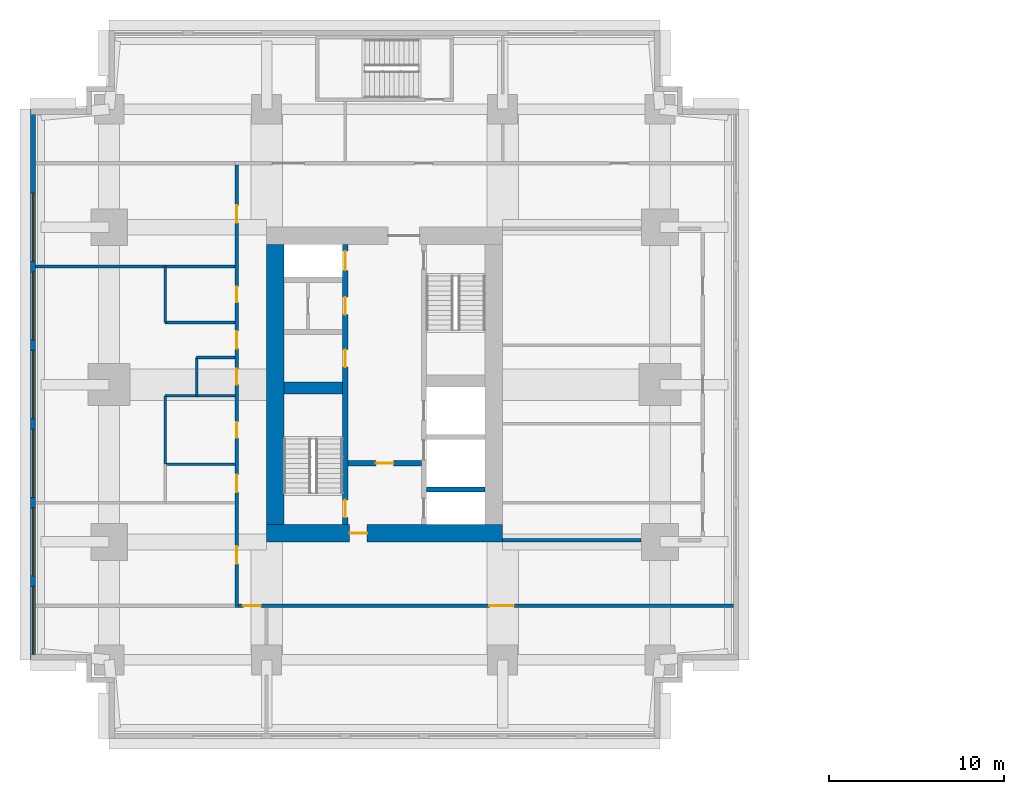
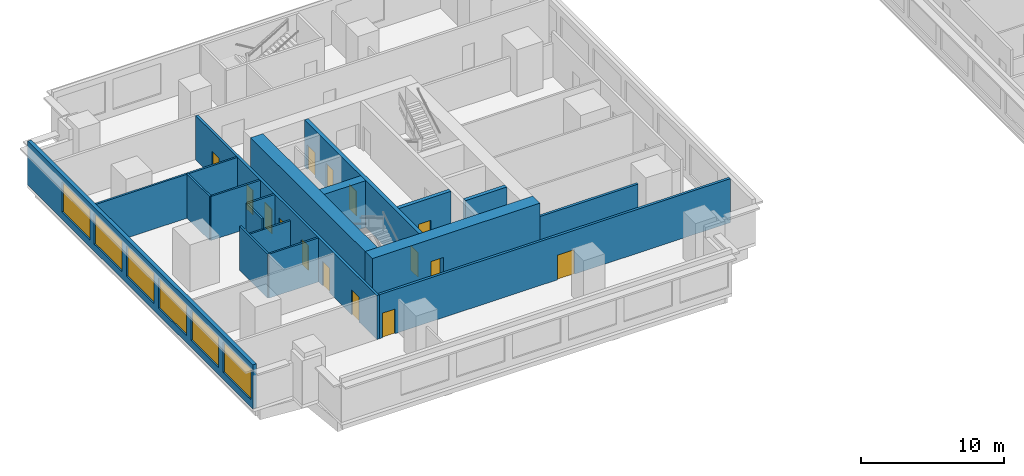
# One storey, part 3 of 10: 18 walls, 15 doors, 6 windows, 21 openings.
"""IFC4 building model written with IfcOpenShell, lengths in metres."""

from ifc_helpers import new_model, si_unit, direction, frame, frame_2d, origin, place, context, subcontext, project, spatial, rectangle, extrude, material, layer, layer_set, type_object, element, fill, save


model = new_model("IFC4")

# Units and contexts
model_context = context("Model", 3, precision=1e-05, world=origin(), true_north=direction((0.0, 1.0)))
body_context = subcontext(model_context, "Body", "Model", "MODEL_VIEW")
ifc_project = project(units=[si_unit("LENGTHUNIT", "METRE"), si_unit("AREAUNIT", "SQUARE_METRE"), si_unit("VOLUMEUNIT", "CUBIC_METRE"), si_unit("PLANEANGLEUNIT", "RADIAN"), si_unit("MASSUNIT", "GRAM", prefix="KILO")], contexts=[model_context])

# Site, building, storey
site_placement = place(None, origin())
site = spatial("IfcSite", under=ifc_project, at=site_placement, CompositionType="ELEMENT")
building_placement = place(site_placement, origin())
building = spatial("IfcBuilding", under=site, at=building_placement, Name="Namib Vertical Campus", CompositionType="ELEMENT")
storey_placement = place(building_placement, frame((0.0, 0.0, 157.0)))
storey = spatial("IfcBuildingStorey", under=building, at=storey_placement, Name="L37", CompositionType="ELEMENT", Elevation=157.0)

# Wall, openings, doors
ifc_material_1 = material(Name="Concrete C60/75", Category="concrete")
ifc_layer_1 = layer(ifc_material_1, 0.300048828125)
ifc_layer_set_1 = layer_set([ifc_layer_1], Name="Concrete C60/75")
wall_type_1 = type_object("IfcWallType", Name="Core inner wall 300", PredefinedType="SHEAR", material=ifc_layer_set_1)
wall_1_placement = place(storey_placement, frame((18.0, 12.25, 0.0), z_axis=(0.0, 0.0, 1.0), x_axis=(0.0, 1.0, 0.0)))
wall_1 = element("IfcWall", 1, at=wall_1_placement, inside=storey, type_object=wall_type_1, Name="Core inner wall A L37 W1", PredefinedType="SHEAR", context=body_context, shape_type="SweptSolid", body=[
    extrude(rectangle(XDim=16.0, YDim=0.300048828125, at=frame_2d((8.0, 0.0))), origin(), (0.0, 0.0, 1.0), 4.0),
])
opening_1_placement = place(wall_1_placement, frame((0.39990234375, 0.0, 0.0)))
opening_1 = element("IfcOpeningElement", 2, at=opening_1_placement, cuts=wall_1, Name="Opening FD1", PredefinedType="OPENING", context=body_context, shape_type="SweptSolid", body=[
    extrude(rectangle(XDim=1.0, YDim=2.10009765625, at=frame_2d((0.5, 1.050048828125))), frame((0.0, 0.159912109375, 0.0), z_axis=(0.0, -1.0, 0.0), x_axis=(1.0, 0.0, 0.0)), (0.0, 0.0, 1.0), 0.320068359375),
])
opening_2_placement = place(wall_1_placement, frame((14.52490234375, 0.0, 0.0)))
opening_2 = element("IfcOpeningElement", 3, at=opening_2_placement, cuts=wall_1, Name="Opening LD1", PredefinedType="OPENING", context=body_context, shape_type="SweptSolid", body=[
    extrude(rectangle(XDim=1.10009765625, YDim=2.10009765625, at=frame_2d((0.550048828125, 1.050048828125))), frame((0.0, 0.159912109375, 0.0), z_axis=(0.0, -1.0, 0.0), x_axis=(1.0, 0.0, 0.0)), (0.0, 0.0, 1.0), 0.320068359375),
])
opening_3_placement = place(wall_1_placement, frame((9.0, 0.0, 0.0)))
opening_3 = element("IfcOpeningElement", 4, at=opening_3_placement, cuts=wall_1, Name="Opening D1", PredefinedType="OPENING", context=body_context, shape_type="SweptSolid", body=[
    extrude(rectangle(XDim=1.0, YDim=2.10009765625, at=frame_2d((0.5, 1.050048828125))), frame((0.0, 0.159912109375, 0.0), z_axis=(0.0, -1.0, 0.0), x_axis=(1.0, 0.0, 0.0)), (0.0, 0.0, 1.0), 0.320068359375),
])
opening_4_placement = place(wall_1_placement, frame((12.0, 0.0, 0.0)))
opening_4 = element("IfcOpeningElement", 5, at=opening_4_placement, cuts=wall_1, Name="Opening D1", PredefinedType="OPENING", context=body_context, shape_type="SweptSolid", body=[
    extrude(rectangle(XDim=1.0, YDim=2.10009765625, at=frame_2d((0.5, 1.050048828125))), frame((0.0, 0.159912109375, 0.0), z_axis=(0.0, -1.0, 0.0), x_axis=(1.0, 0.0, 0.0)), (0.0, 0.0, 1.0), 0.320068359375),
])
ifc_material_2 = material(Name="Timber door leaf", Category="wood")
door_type_1 = type_object("IfcDoorType", Name="Door single 1000x2100", OperationType="SINGLE_SWING_LEFT", PredefinedType="DOOR", material=ifc_material_2)
door_1_placement = place(opening_3_placement, origin())
door_1 = element("IfcDoor", 6, at=door_1_placement, inside=storey, type_object=door_type_1, Name="Door D1 Comms room A L37 P1", OperationType="SINGLE_SWING_LEFT", OverallHeight=2.10009765625, OverallWidth=1.0, PredefinedType="DOOR", context=body_context, shape_type="SweptSolid", body=[
    extrude(rectangle(XDim=1.0, YDim=2.10009765625, at=frame_2d((0.5, 1.050048828125))), frame((0.0, 0.02490234375, 0.0), z_axis=(0.0, -1.0, 0.0), x_axis=(1.0, 0.0, 0.0)), (0.0, 0.0, 1.0), 0.050048828125),
])
fill(opening_3, door_1)
door_2_placement = place(opening_4_placement, origin())
door_2 = element("IfcDoor", 7, at=door_2_placement, inside=storey, type_object=door_type_1, Name="Door D1 Store A L37 P2", OperationType="SINGLE_SWING_LEFT", OverallHeight=2.10009765625, OverallWidth=1.0, PredefinedType="DOOR", context=body_context, shape_type="SweptSolid", body=[
    extrude(rectangle(XDim=1.0, YDim=2.10009765625, at=frame_2d((0.5, 1.050048828125))), frame((0.0, 0.02490234375, 0.0), z_axis=(0.0, -1.0, 0.0), x_axis=(1.0, 0.0, 0.0)), (0.0, 0.0, 1.0), 0.050048828125),
])
fill(opening_4, door_2)
ifc_material_3 = material(Name="Steel fire door", Category="steel")
door_type_2 = type_object("IfcDoorType", Name="Fire door 1000x2100", OperationType="SINGLE_SWING_RIGHT", PredefinedType="DOOR", material=ifc_material_3)
door_3_placement = place(opening_1_placement, origin())
door_3 = element("IfcDoor", 8, at=door_3_placement, inside=storey, type_object=door_type_2, Name="Stair door FD1 A L37 S1", OperationType="SINGLE_SWING_LEFT", OverallHeight=2.10009765625, OverallWidth=1.0, PredefinedType="DOOR", context=body_context, shape_type="SweptSolid", body=[
    extrude(rectangle(XDim=1.0, YDim=2.10009765625, at=frame_2d((0.5, 1.050048828125))), frame((0.0, 0.02490234375, 0.0), z_axis=(0.0, -1.0, 0.0), x_axis=(1.0, 0.0, 0.0)), (0.0, 0.0, 1.0), 0.050048828125),
])
fill(opening_1, door_3)
ifc_material_4 = material(Name="Stainless steel lift door", Category="steel")
door_type_3 = type_object("IfcDoorType", Name="Lift landing door 1100x2100", OperationType="DOUBLE_DOOR_SLIDING", PredefinedType="DOOR", material=ifc_material_4)
door_4_placement = place(opening_2_placement, origin())
door_4 = element("IfcDoor", 9, at=door_4_placement, inside=storey, type_object=door_type_3, Name="Lift landing door LD1 A-P3 L37", OperationType="DOUBLE_DOOR_SLIDING", OverallHeight=2.10009765625, OverallWidth=1.10009765625, PredefinedType="DOOR", context=body_context, shape_type="SweptSolid", body=[
    extrude(rectangle(XDim=1.10009765625, YDim=2.10009765625, at=frame_2d((0.550048828125, 1.050048828125))), frame((0.0, 0.02490234375, 0.0), z_axis=(0.0, -1.0, 0.0), x_axis=(1.0, 0.0, 0.0)), (0.0, 0.0, 1.0), 0.050048828125),
])
fill(opening_2, door_4)

# Wall, opening, door
wall_2_placement = place(storey_placement, frame((18.14990234375, 15.75, 0.0), z_axis=(0.0, 0.0, 1.0), x_axis=(1.0, 0.0, 0.0)))
wall_2 = element("IfcWall", 10, at=wall_2_placement, inside=storey, type_object=wall_type_1, Name="Core inner wall A L37 W4", PredefinedType="SHEAR", context=body_context, shape_type="SweptSolid", body=[
    extrude(rectangle(XDim=4.2001953125, YDim=0.300048828125, at=frame_2d((2.10009765625, 0.0))), origin(), (0.0, 0.0, 1.0), 4.0),
])
opening_5_placement = place(wall_2_placement, frame((1.60009765625, 0.0, 0.0)))
opening_5 = element("IfcOpeningElement", 11, at=opening_5_placement, cuts=wall_2, Name="Opening FD5", PredefinedType="OPENING", context=body_context, shape_type="SweptSolid", body=[
    extrude(rectangle(XDim=1.0, YDim=2.10009765625, at=frame_2d((0.5, 1.050048828125))), frame((0.0, 0.159912109375, 0.0), z_axis=(0.0, -1.0, 0.0), x_axis=(1.0, 0.0, 0.0)), (0.0, 0.0, 1.0), 0.320068359375),
])
ifc_material_5 = material(Name="Steel fire door", Category="steel")
door_type_4 = type_object("IfcDoorType", Name="Fire door 1000x2100 120 min", OperationType="SINGLE_SWING_RIGHT", PredefinedType="DOOR", material=ifc_material_5)
door_5_placement = place(opening_5_placement, frame((1.0, 0.0, 0.0), z_axis=(0.0, 0.0, 1.0), x_axis=(-1.0, 0.0, 0.0)))
door_5 = element("IfcDoor", 12, at=door_5_placement, inside=storey, type_object=door_type_4, Name="Lobby door FD5 A L37", OperationType="SINGLE_SWING_RIGHT", OverallHeight=2.10009765625, OverallWidth=1.0, PredefinedType="DOOR", context=body_context, shape_type="SweptSolid", body=[
    extrude(rectangle(XDim=1.0, YDim=2.10009765625, at=frame_2d((0.5, 1.050048828125))), frame((0.0, 0.02490234375, 0.0), z_axis=(0.0, -1.0, 0.0), x_axis=(1.0, 0.0, 0.0)), (0.0, 0.0, 1.0), 0.050048828125),
])
fill(opening_5, door_5)

# Walls
wall_3_placement = place(storey_placement, frame((22.64990234375, 14.25, 0.0), z_axis=(0.0, 0.0, 1.0), x_axis=(1.0, 0.0, 0.0)))
element("IfcWall", 13, at=wall_3_placement, inside=storey, type_object=wall_type_1, Name="Core inner wall A L37 W5", PredefinedType="SHEAR", context=body_context, shape_type="SweptSolid", body=[
    extrude(rectangle(XDim=3.35009765625, YDim=0.300048828125, at=frame_2d((1.675048828125, 0.0))), origin(), (0.0, 0.0, 1.0), 4.0),
])
ifc_material_6 = material(Name="Concrete C60/75", Category="concrete")
ifc_layer_2 = layer(ifc_material_6, 0.699951171875)
ifc_layer_set_2 = layer_set([ifc_layer_2], Name="Concrete C60/75")
wall_type_2 = type_object("IfcWallType", Name="Core shear wall 700", PredefinedType="SHEAR", material=ifc_layer_set_2)
wall_4_placement = place(storey_placement, frame((14.5, 20.050048828125, 0.0), z_axis=(0.0, 0.0, 1.0), x_axis=(1.0, 0.0, 0.0)))
element("IfcWall", 14, at=wall_4_placement, inside=storey, type_object=wall_type_2, Name="Core shear wall A L37 W3", PredefinedType="SHEAR", context=body_context, shape_type="SweptSolid", body=[
    extrude(rectangle(XDim=3.35009765625, YDim=0.699951171875, at=frame_2d((1.675048828125, 0.0))), origin(), (0.0, 0.0, 1.0), 4.0),
])

# Wall, opening, door
ifc_material_7 = material(Name="Concrete C60/75", Category="concrete")
ifc_layer_3 = layer(ifc_material_7, 1.0)
ifc_layer_set_3 = layer_set([ifc_layer_3], Name="Concrete C60/75")
wall_type_3 = type_object("IfcWallType", Name="Core wall 1000", PredefinedType="SHEAR", material=ifc_layer_set_3)
wall_5_placement = place(storey_placement, frame((13.5, 11.75, 0.0), z_axis=(0.0, 0.0, 1.0), x_axis=(1.0, 0.0, 0.0)))
wall_5 = element("IfcWall", 15, at=wall_5_placement, inside=storey, type_object=wall_type_3, Name="Core wall A L37 1", PredefinedType="SHEAR", context=body_context, shape_type="SweptSolid", body=[
    extrude(rectangle(XDim=13.5, YDim=1.0, at=frame_2d((6.75, 0.0))), origin(), (0.0, 0.0, 1.0), 4.0),
])
opening_6_placement = place(wall_5_placement, frame((4.75, 0.0, 0.0)))
opening_6 = element("IfcOpeningElement", 16, at=opening_6_placement, cuts=wall_5, Name="Opening FD5", PredefinedType="OPENING", context=body_context, shape_type="SweptSolid", body=[
    extrude(rectangle(XDim=1.0, YDim=2.10009765625, at=frame_2d((0.5, 1.050048828125))), frame((0.0, 0.510009765625, 0.0), z_axis=(0.0, -1.0, 0.0), x_axis=(1.0, 0.0, 0.0)), (0.0, 0.0, 1.0), 1.02001953125),
])
door_6_placement = place(opening_6_placement, origin())
door_6 = element("IfcDoor", 17, at=door_6_placement, inside=storey, type_object=door_type_4, Name="Firefighting lobby door FD5 A L37", OperationType="SINGLE_SWING_LEFT", OverallHeight=2.10009765625, OverallWidth=1.0, PredefinedType="DOOR", context=body_context, shape_type="SweptSolid", body=[
    extrude(rectangle(XDim=1.0, YDim=2.10009765625, at=frame_2d((0.5, 1.050048828125))), frame((0.0, 0.02490234375, 0.0), z_axis=(0.0, -1.0, 0.0), x_axis=(1.0, 0.0, 0.0)), (0.0, 0.0, 1.0), 0.050048828125),
])
fill(opening_6, door_6)

# Wall
wall_6_placement = place(storey_placement, frame((14.0, 28.25, 0.0), z_axis=(0.0, 0.0, 1.0), x_axis=(0.0, -1.0, 0.0)))
element("IfcWall", 18, at=wall_6_placement, inside=storey, type_object=wall_type_3, Name="Core wall A L37 4", PredefinedType="SHEAR", context=body_context, shape_type="SweptSolid", body=[
    extrude(rectangle(XDim=16.0, YDim=1.0, at=frame_2d((8.0, 0.0))), origin(), (0.0, 0.0, 1.0), 4.0),
])

# Wall, openings, doors
ifc_material_8 = material(Name="Concrete masonry", Category="masonry")
ifc_layer_4 = layer(ifc_material_8, 0.199951171875)
ifc_layer_set_4 = layer_set([ifc_layer_4], Name="Corridor wall 200")
wall_type_4 = type_object("IfcWallType", Name="Corridor wall 200", PredefinedType="SOLIDWALL", material=ifc_layer_set_4)
wall_7_placement = place(storey_placement, frame((11.89990234375, 7.60009765625, 0.0), z_axis=(0.0, 0.0, 1.0), x_axis=(1.0, 0.0, 0.0)))
wall_7 = element("IfcWall", 19, at=wall_7_placement, inside=storey, type_object=wall_type_4, Name="Corridor wall A L37 CS", PredefinedType="SOLIDWALL", context=body_context, shape_type="SweptSolid", body=[
    extrude(rectangle(XDim=28.300048828125, YDim=0.199951171875, at=frame_2d((14.14990234375, 0.0))), origin(), (0.0, 0.0, 1.0), 3.75),
])
opening_7_placement = place(wall_7_placement, frame((0.27490234375, 0.0, 0.0)))
opening_7 = element("IfcOpeningElement", 20, at=opening_7_placement, cuts=wall_7, Name="Opening CD1", PredefinedType="OPENING", context=body_context, shape_type="SweptSolid", body=[
    extrude(rectangle(XDim=1.0, YDim=2.10009765625, at=frame_2d((0.5, 1.050048828125))), frame((0.0, 0.10986328125, 0.0), z_axis=(0.0, -1.0, 0.0), x_axis=(1.0, 0.0, 0.0)), (0.0, 0.0, 1.0), 0.219970703125),
])
opening_8_placement = place(wall_7_placement, frame((14.35009765625, 0.0, 0.0)))
opening_8 = element("IfcOpeningElement", 21, at=opening_8_placement, cuts=wall_7, Name="Opening LB1", PredefinedType="OPENING", context=body_context, shape_type="SweptSolid", body=[
    extrude(rectangle(XDim=1.39990234375, YDim=2.10009765625, at=frame_2d((0.699951171875, 1.050048828125))), frame((0.0, 0.10986328125, 0.0), z_axis=(0.0, -1.0, 0.0), x_axis=(1.0, 0.0, 0.0)), (0.0, 0.0, 1.0), 0.219970703125),
])
ifc_material_9 = material(Name="Timber fire door leaf", Category="wood")
door_type_5 = type_object("IfcDoorType", Name="Corridor door 1000x2100 20 min", OperationType="SINGLE_SWING_LEFT", PredefinedType="DOOR", material=ifc_material_9)
door_7_placement = place(opening_7_placement, frame((1.0, 0.0, 0.0), z_axis=(0.0, 0.0, 1.0), x_axis=(-1.0, 0.0, 0.0)))
door_7 = element("IfcDoor", 22, at=door_7_placement, inside=storey, type_object=door_type_5, Name="Door CD1 A37-01", OperationType="SINGLE_SWING_LEFT", OverallHeight=2.10009765625, OverallWidth=1.0, PredefinedType="DOOR", context=body_context, shape_type="SweptSolid", body=[
    extrude(rectangle(XDim=1.0, YDim=2.10009765625, at=frame_2d((0.5, 1.050048828125))), frame((0.0, 0.02490234375, 0.0), z_axis=(0.0, -1.0, 0.0), x_axis=(1.0, 0.0, 0.0)), (0.0, 0.0, 1.0), 0.050048828125),
])
fill(opening_7, door_7)
ifc_material_10 = material(Name="Timber fire door leaf", Category="wood")
door_type_6 = type_object("IfcDoorType", Name="Laboratory door 1400x2100 leaf and a half", OperationType="DOUBLE_DOOR_SINGLE_SWING", PredefinedType="DOOR", material=ifc_material_10)
door_8_placement = place(opening_8_placement, frame((1.39990234375, 0.0, 0.0), z_axis=(0.0, 0.0, 1.0), x_axis=(-1.0, 0.0, 0.0)))
door_8 = element("IfcDoor", 23, at=door_8_placement, inside=storey, type_object=door_type_6, Name="Door LB1 A37-02", OperationType="DOUBLE_DOOR_SINGLE_SWING", OverallHeight=2.10009765625, OverallWidth=1.39990234375, PredefinedType="DOOR", context=body_context, shape_type="SweptSolid", body=[
    extrude(rectangle(XDim=1.39990234375, YDim=2.10009765625, at=frame_2d((0.699951171875, 1.050048828125))), frame((0.0, 0.02490234375, 0.0), z_axis=(0.0, -1.0, 0.0), x_axis=(1.0, 0.0, 0.0)), (0.0, 0.0, 1.0), 0.050048828125),
])
fill(opening_8, door_8)

wall_8_placement = place(storey_placement, frame((11.800048828125, 32.800048828125, 0.0), z_axis=(0.0, 0.0, 1.0), x_axis=(0.0, -1.0, 0.0)))
wall_8 = element("IfcWall", 24, at=wall_8_placement, inside=storey, type_object=wall_type_4, Name="Corridor wall A L37 CW", PredefinedType="SOLIDWALL", context=body_context, shape_type="SweptSolid", body=[
    extrude(rectangle(XDim=25.300048828125, YDim=0.199951171875, at=frame_2d((12.64990234375, 0.0))), origin(), (0.0, 0.0, 1.0), 3.75),
])
opening_9_placement = place(wall_8_placement, frame((21.800048828125, 0.0, 0.0)))
opening_9 = element("IfcOpeningElement", 25, at=opening_9_placement, cuts=wall_8, Name="Opening CD1", PredefinedType="OPENING", context=body_context, shape_type="SweptSolid", body=[
    extrude(rectangle(XDim=1.0, YDim=2.10009765625, at=frame_2d((0.5, 1.050048828125))), frame((0.0, 0.10986328125, 0.0), z_axis=(0.0, -1.0, 0.0), x_axis=(1.0, 0.0, 0.0)), (0.0, 0.0, 1.0), 0.219970703125),
])
opening_10_placement = place(wall_8_placement, frame((17.699951171875, 0.0, 0.0)))
opening_10 = element("IfcOpeningElement", 26, at=opening_10_placement, cuts=wall_8, Name="Opening CD1", PredefinedType="OPENING", context=body_context, shape_type="SweptSolid", body=[
    extrude(rectangle(XDim=1.0, YDim=2.10009765625, at=frame_2d((0.5, 1.050048828125))), frame((0.0, 0.10986328125, 0.0), z_axis=(0.0, -1.0, 0.0), x_axis=(1.0, 0.0, 0.0)), (0.0, 0.0, 1.0), 0.219970703125),
])
opening_11_placement = place(wall_8_placement, frame((14.699951171875, 0.0, 0.0)))
opening_11 = element("IfcOpeningElement", 27, at=opening_11_placement, cuts=wall_8, Name="Opening CD3", PredefinedType="OPENING", context=body_context, shape_type="SweptSolid", body=[
    extrude(rectangle(XDim=0.89990234375, YDim=2.10009765625, at=frame_2d((0.449951171875, 1.050048828125))), frame((0.0, 0.10986328125, 0.0), z_axis=(0.0, -1.0, 0.0), x_axis=(1.0, 0.0, 0.0)), (0.0, 0.0, 1.0), 0.219970703125),
])
opening_12_placement = place(wall_8_placement, frame((11.64990234375, 0.0, 0.0)))
opening_12 = element("IfcOpeningElement", 28, at=opening_12_placement, cuts=wall_8, Name="Opening CD3", PredefinedType="OPENING", context=body_context, shape_type="SweptSolid", body=[
    extrude(rectangle(XDim=0.89990234375, YDim=2.10009765625, at=frame_2d((0.449951171875, 1.050048828125))), frame((0.0, 0.10986328125, 0.0), z_axis=(0.0, -1.0, 0.0), x_axis=(1.0, 0.0, 0.0)), (0.0, 0.0, 1.0), 0.219970703125),
])
opening_13_placement = place(wall_8_placement, frame((6.949951171875, 0.0, 0.0)))
opening_13 = element("IfcOpeningElement", 29, at=opening_13_placement, cuts=wall_8, Name="Opening CD3", PredefinedType="OPENING", context=body_context, shape_type="SweptSolid", body=[
    extrude(rectangle(XDim=0.89990234375, YDim=2.10009765625, at=frame_2d((0.449951171875, 1.050048828125))), frame((0.0, 0.10986328125, 0.0), z_axis=(0.0, -1.0, 0.0), x_axis=(1.0, 0.0, 0.0)), (0.0, 0.0, 1.0), 0.219970703125),
])
opening_14_placement = place(wall_8_placement, frame((9.5, 0.0, 0.0)))
opening_14 = element("IfcOpeningElement", 30, at=opening_14_placement, cuts=wall_8, Name="Opening CD1", PredefinedType="OPENING", context=body_context, shape_type="SweptSolid", body=[
    extrude(rectangle(XDim=1.0, YDim=2.10009765625, at=frame_2d((0.5, 1.050048828125))), frame((0.0, 0.10986328125, 0.0), z_axis=(0.0, -1.0, 0.0), x_axis=(1.0, 0.0, 0.0)), (0.0, 0.0, 1.0), 0.219970703125),
])
opening_15_placement = place(wall_8_placement, frame((2.300048828125, 0.0, 0.0)))
opening_15 = element("IfcOpeningElement", 31, at=opening_15_placement, cuts=wall_8, Name="Opening CD1", PredefinedType="OPENING", context=body_context, shape_type="SweptSolid", body=[
    extrude(rectangle(XDim=1.0, YDim=2.10009765625, at=frame_2d((0.5, 1.050048828125))), frame((0.0, 0.10986328125, 0.0), z_axis=(0.0, -1.0, 0.0), x_axis=(1.0, 0.0, 0.0)), (0.0, 0.0, 1.0), 0.219970703125),
])
door_9_placement = place(opening_9_placement, frame((1.0, 0.0, 0.0), z_axis=(0.0, 0.0, 1.0), x_axis=(-1.0, 0.0, 0.0)))
door_9 = element("IfcDoor", 32, at=door_9_placement, inside=storey, type_object=door_type_5, Name="Door CD1 A37-10", OperationType="SINGLE_SWING_RIGHT", OverallHeight=2.10009765625, OverallWidth=1.0, PredefinedType="DOOR", context=body_context, shape_type="SweptSolid", body=[
    extrude(rectangle(XDim=1.0, YDim=2.10009765625, at=frame_2d((0.5, 1.050048828125))), frame((0.0, 0.02490234375, 0.0), z_axis=(0.0, -1.0, 0.0), x_axis=(1.0, 0.0, 0.0)), (0.0, 0.0, 1.0), 0.050048828125),
])
fill(opening_9, door_9)
door_10_placement = place(opening_10_placement, frame((1.0, 0.0, 0.0), z_axis=(0.0, 0.0, 1.0), x_axis=(-1.0, 0.0, 0.0)))
door_10 = element("IfcDoor", 33, at=door_10_placement, inside=storey, type_object=door_type_5, Name="Door CD1 A37-11", OperationType="SINGLE_SWING_RIGHT", OverallHeight=2.10009765625, OverallWidth=1.0, PredefinedType="DOOR", context=body_context, shape_type="SweptSolid", body=[
    extrude(rectangle(XDim=1.0, YDim=2.10009765625, at=frame_2d((0.5, 1.050048828125))), frame((0.0, 0.02490234375, 0.0), z_axis=(0.0, -1.0, 0.0), x_axis=(1.0, 0.0, 0.0)), (0.0, 0.0, 1.0), 0.050048828125),
])
fill(opening_10, door_10)
door_11_placement = place(opening_14_placement, frame((1.0, 0.0, 0.0), z_axis=(0.0, 0.0, 1.0), x_axis=(-1.0, 0.0, 0.0)))
door_11 = element("IfcDoor", 34, at=door_11_placement, inside=storey, type_object=door_type_5, Name="Door CD1 A37-15", OperationType="SINGLE_SWING_RIGHT", OverallHeight=2.10009765625, OverallWidth=1.0, PredefinedType="DOOR", context=body_context, shape_type="SweptSolid", body=[
    extrude(rectangle(XDim=1.0, YDim=2.10009765625, at=frame_2d((0.5, 1.050048828125))), frame((0.0, 0.02490234375, 0.0), z_axis=(0.0, -1.0, 0.0), x_axis=(1.0, 0.0, 0.0)), (0.0, 0.0, 1.0), 0.050048828125),
])
fill(opening_14, door_11)
door_12_placement = place(opening_15_placement, frame((1.0, 0.0, 0.0), z_axis=(0.0, 0.0, 1.0), x_axis=(-1.0, 0.0, 0.0)))
door_12 = element("IfcDoor", 35, at=door_12_placement, inside=storey, type_object=door_type_5, Name="Door CD1 A37-16", OperationType="SINGLE_SWING_RIGHT", OverallHeight=2.10009765625, OverallWidth=1.0, PredefinedType="DOOR", context=body_context, shape_type="SweptSolid", body=[
    extrude(rectangle(XDim=1.0, YDim=2.10009765625, at=frame_2d((0.5, 1.050048828125))), frame((0.0, 0.02490234375, 0.0), z_axis=(0.0, -1.0, 0.0), x_axis=(1.0, 0.0, 0.0)), (0.0, 0.0, 1.0), 0.050048828125),
])
fill(opening_15, door_12)
ifc_material_11 = material(Name="Timber fire door leaf", Category="wood")
door_type_7 = type_object("IfcDoorType", Name="Corridor toilet door 900x2100 20 min", OperationType="SINGLE_SWING_LEFT", PredefinedType="DOOR", material=ifc_material_11)
door_13_placement = place(opening_11_placement, frame((0.89990234375, 0.0, 0.0), z_axis=(0.0, 0.0, 1.0), x_axis=(-1.0, 0.0, 0.0)))
door_13 = element("IfcDoor", 36, at=door_13_placement, inside=storey, type_object=door_type_7, Name="Door CD3 A37-12", OperationType="SINGLE_SWING_RIGHT", OverallHeight=2.10009765625, OverallWidth=0.89990234375, PredefinedType="DOOR", context=body_context, shape_type="SweptSolid", body=[
    extrude(rectangle(XDim=0.89990234375, YDim=2.10009765625, at=frame_2d((0.449951171875, 1.050048828125))), frame((0.0, 0.02490234375, 0.0), z_axis=(0.0, -1.0, 0.0), x_axis=(1.0, 0.0, 0.0)), (0.0, 0.0, 1.0), 0.050048828125),
])
fill(opening_11, door_13)
door_14_placement = place(opening_12_placement, frame((0.89990234375, 0.0, 0.0), z_axis=(0.0, 0.0, 1.0), x_axis=(-1.0, 0.0, 0.0)))
door_14 = element("IfcDoor", 37, at=door_14_placement, inside=storey, type_object=door_type_7, Name="Door CD3 A37-13", OperationType="SINGLE_SWING_RIGHT", OverallHeight=2.10009765625, OverallWidth=0.89990234375, PredefinedType="DOOR", context=body_context, shape_type="SweptSolid", body=[
    extrude(rectangle(XDim=0.89990234375, YDim=2.10009765625, at=frame_2d((0.449951171875, 1.050048828125))), frame((0.0, 0.02490234375, 0.0), z_axis=(0.0, -1.0, 0.0), x_axis=(1.0, 0.0, 0.0)), (0.0, 0.0, 1.0), 0.050048828125),
])
fill(opening_12, door_14)
door_15_placement = place(opening_13_placement, frame((0.89990234375, 0.0, 0.0), z_axis=(0.0, 0.0, 1.0), x_axis=(-1.0, 0.0, 0.0)))
door_15 = element("IfcDoor", 38, at=door_15_placement, inside=storey, type_object=door_type_7, Name="Door CD3 A37-14", OperationType="SINGLE_SWING_RIGHT", OverallHeight=2.10009765625, OverallWidth=0.89990234375, PredefinedType="DOOR", context=body_context, shape_type="SweptSolid", body=[
    extrude(rectangle(XDim=0.89990234375, YDim=2.10009765625, at=frame_2d((0.449951171875, 1.050048828125))), frame((0.0, 0.02490234375, 0.0), z_axis=(0.0, -1.0, 0.0), x_axis=(1.0, 0.0, 0.0)), (0.0, 0.0, 1.0), 0.050048828125),
])
fill(opening_13, door_15)

# Wall
wall_9_placement = place(storey_placement, frame((27.0, 11.35009765625, 0.0), z_axis=(0.0, 0.0, 1.0), x_axis=(1.0, 0.0, 0.0)))
element("IfcWall", 39, at=wall_9_placement, inside=storey, type_object=wall_type_4, Name="Corridor wall A L37 GS", PredefinedType="SOLIDWALL", context=body_context, shape_type="SweptSolid", body=[
    extrude(rectangle(XDim=7.929931640625, YDim=0.199951171875, at=frame_2d((3.96484375, 0.0))), origin(), (0.0, 0.0, 1.0), 2.85009765625),
])

# Wall, openings, windows
ifc_material_12 = material(Name="Concrete C40/50", Category="concrete")
ifc_layer_5 = layer(ifc_material_12, 0.300048828125)
ifc_layer_set_5 = layer_set([ifc_layer_5], Name="Concrete C40/50")
wall_type_5 = type_object("IfcWallType", Name="External wall 300 board-marked concrete", PredefinedType="STANDARD", material=ifc_layer_set_5)
wall_10_placement = place(storey_placement, frame((0.14990234375, 35.97998046875, 0.0), z_axis=(0.0, 0.0, 1.0), x_axis=(0.0, -1.0, 0.0)))
wall_10 = element("IfcWall", 40, at=wall_10_placement, inside=storey, type_object=wall_type_5, Name="External wall L37 F16", PredefinedType="STANDARD", context=body_context, shape_type="SweptSolid", body=[
    extrude(rectangle(XDim=31.4599609375, YDim=0.300048828125, at=frame_2d((15.72998046875, 0.0))), origin(), (0.0, 0.0, 1.0), 3.75),
])
opening_16_placement = place(wall_10_placement, frame((27.280029296875, 0.0, 0.60009765625)))
opening_16 = element("IfcOpeningElement", 41, at=opening_16_placement, cuts=wall_10, Name="Opening W2", PredefinedType="OPENING", context=body_context, shape_type="SweptSolid", body=[
    extrude(rectangle(XDim=3.89990234375, YDim=2.60009765625, at=frame_2d((1.949951171875, 1.300048828125))), frame((0.0, 0.159912109375, 0.0), z_axis=(0.0, -1.0, 0.0), x_axis=(1.0, 0.0, 0.0)), (0.0, 0.0, 1.0), 0.320068359375),
])
opening_17_placement = place(wall_10_placement, frame((22.780029296875, 0.0, 0.60009765625)))
opening_17 = element("IfcOpeningElement", 42, at=opening_17_placement, cuts=wall_10, Name="Opening W2", PredefinedType="OPENING", context=body_context, shape_type="SweptSolid", body=[
    extrude(rectangle(XDim=3.89990234375, YDim=2.60009765625, at=frame_2d((1.949951171875, 1.300048828125))), frame((0.0, 0.159912109375, 0.0), z_axis=(0.0, -1.0, 0.0), x_axis=(1.0, 0.0, 0.0)), (0.0, 0.0, 1.0), 0.320068359375),
])
opening_18_placement = place(wall_10_placement, frame((18.280029296875, 0.0, 0.60009765625)))
opening_18 = element("IfcOpeningElement", 43, at=opening_18_placement, cuts=wall_10, Name="Opening W2", PredefinedType="OPENING", context=body_context, shape_type="SweptSolid", body=[
    extrude(rectangle(XDim=3.89990234375, YDim=2.60009765625, at=frame_2d((1.949951171875, 1.300048828125))), frame((0.0, 0.159912109375, 0.0), z_axis=(0.0, -1.0, 0.0), x_axis=(1.0, 0.0, 0.0)), (0.0, 0.0, 1.0), 0.320068359375),
])
opening_19_placement = place(wall_10_placement, frame((13.780029296875, 0.0, 0.60009765625)))
opening_19 = element("IfcOpeningElement", 44, at=opening_19_placement, cuts=wall_10, Name="Opening W2", PredefinedType="OPENING", context=body_context, shape_type="SweptSolid", body=[
    extrude(rectangle(XDim=3.89990234375, YDim=2.60009765625, at=frame_2d((1.949951171875, 1.300048828125))), frame((0.0, 0.159912109375, 0.0), z_axis=(0.0, -1.0, 0.0), x_axis=(1.0, 0.0, 0.0)), (0.0, 0.0, 1.0), 0.320068359375),
])
opening_20_placement = place(wall_10_placement, frame((9.280029296875, 0.0, 0.60009765625)))
opening_20 = element("IfcOpeningElement", 45, at=opening_20_placement, cuts=wall_10, Name="Opening W2", PredefinedType="OPENING", context=body_context, shape_type="SweptSolid", body=[
    extrude(rectangle(XDim=3.89990234375, YDim=2.60009765625, at=frame_2d((1.949951171875, 1.300048828125))), frame((0.0, 0.159912109375, 0.0), z_axis=(0.0, -1.0, 0.0), x_axis=(1.0, 0.0, 0.0)), (0.0, 0.0, 1.0), 0.320068359375),
])
opening_21_placement = place(wall_10_placement, frame((4.780029296875, 0.0, 0.60009765625)))
opening_21 = element("IfcOpeningElement", 46, at=opening_21_placement, cuts=wall_10, Name="Opening W2", PredefinedType="OPENING", context=body_context, shape_type="SweptSolid", body=[
    extrude(rectangle(XDim=3.89990234375, YDim=2.60009765625, at=frame_2d((1.949951171875, 1.300048828125))), frame((0.0, 0.159912109375, 0.0), z_axis=(0.0, -1.0, 0.0), x_axis=(1.0, 0.0, 0.0)), (0.0, 0.0, 1.0), 0.320068359375),
])
ifc_material_13 = material(Name="Dark tinted glass in black aluminium frame", Category="aluminium")
window_type = type_object("IfcWindowType", Name="Ribbon window 3900x2600", PartitioningType="SINGLE_PANEL", PredefinedType="WINDOW", material=ifc_material_13)
window_1_placement = place(opening_16_placement, origin())
window_1 = element("IfcWindow", 47, at=window_1_placement, inside=storey, type_object=window_type, Name="Window W2 L37 F16-1", OverallHeight=2.60009765625, OverallWidth=3.89990234375, PartitioningType="SINGLE_PANEL", PredefinedType="WINDOW", context=body_context, shape_type="SweptSolid", body=[
    extrude(rectangle(XDim=3.89990234375, YDim=2.60009765625, at=frame_2d((1.949951171875, 1.300048828125))), frame((0.0, 0.030029296875, 0.0), z_axis=(0.0, -1.0, 0.0), x_axis=(1.0, 0.0, 0.0)), (0.0, 0.0, 1.0), 0.06005859375),
])
fill(opening_16, window_1)
window_2_placement = place(opening_17_placement, origin())
window_2 = element("IfcWindow", 48, at=window_2_placement, inside=storey, type_object=window_type, Name="Window W2 L37 F16-2", OverallHeight=2.60009765625, OverallWidth=3.89990234375, PartitioningType="SINGLE_PANEL", PredefinedType="WINDOW", context=body_context, shape_type="SweptSolid", body=[
    extrude(rectangle(XDim=3.89990234375, YDim=2.60009765625, at=frame_2d((1.949951171875, 1.300048828125))), frame((0.0, 0.030029296875, 0.0), z_axis=(0.0, -1.0, 0.0), x_axis=(1.0, 0.0, 0.0)), (0.0, 0.0, 1.0), 0.06005859375),
])
fill(opening_17, window_2)
window_3_placement = place(opening_18_placement, origin())
window_3 = element("IfcWindow", 49, at=window_3_placement, inside=storey, type_object=window_type, Name="Window W2 L37 F16-3", OverallHeight=2.60009765625, OverallWidth=3.89990234375, PartitioningType="SINGLE_PANEL", PredefinedType="WINDOW", context=body_context, shape_type="SweptSolid", body=[
    extrude(rectangle(XDim=3.89990234375, YDim=2.60009765625, at=frame_2d((1.949951171875, 1.300048828125))), frame((0.0, 0.030029296875, 0.0), z_axis=(0.0, -1.0, 0.0), x_axis=(1.0, 0.0, 0.0)), (0.0, 0.0, 1.0), 0.06005859375),
])
fill(opening_18, window_3)
window_4_placement = place(opening_19_placement, origin())
window_4 = element("IfcWindow", 50, at=window_4_placement, inside=storey, type_object=window_type, Name="Window W2 L37 F16-4", OverallHeight=2.60009765625, OverallWidth=3.89990234375, PartitioningType="SINGLE_PANEL", PredefinedType="WINDOW", context=body_context, shape_type="SweptSolid", body=[
    extrude(rectangle(XDim=3.89990234375, YDim=2.60009765625, at=frame_2d((1.949951171875, 1.300048828125))), frame((0.0, 0.030029296875, 0.0), z_axis=(0.0, -1.0, 0.0), x_axis=(1.0, 0.0, 0.0)), (0.0, 0.0, 1.0), 0.06005859375),
])
fill(opening_19, window_4)
window_5_placement = place(opening_20_placement, origin())
window_5 = element("IfcWindow", 51, at=window_5_placement, inside=storey, type_object=window_type, Name="Window W2 L37 F16-5", OverallHeight=2.60009765625, OverallWidth=3.89990234375, PartitioningType="SINGLE_PANEL", PredefinedType="WINDOW", context=body_context, shape_type="SweptSolid", body=[
    extrude(rectangle(XDim=3.89990234375, YDim=2.60009765625, at=frame_2d((1.949951171875, 1.300048828125))), frame((0.0, 0.030029296875, 0.0), z_axis=(0.0, -1.0, 0.0), x_axis=(1.0, 0.0, 0.0)), (0.0, 0.0, 1.0), 0.06005859375),
])
fill(opening_20, window_5)
window_6_placement = place(opening_21_placement, origin())
window_6 = element("IfcWindow", 52, at=window_6_placement, inside=storey, type_object=window_type, Name="Window W2 L37 F16-6", OverallHeight=2.60009765625, OverallWidth=3.89990234375, PartitioningType="SINGLE_PANEL", PredefinedType="WINDOW", context=body_context, shape_type="SweptSolid", body=[
    extrude(rectangle(XDim=3.89990234375, YDim=2.60009765625, at=frame_2d((1.949951171875, 1.300048828125))), frame((0.0, 0.030029296875, 0.0), z_axis=(0.0, -1.0, 0.0), x_axis=(1.0, 0.0, 0.0)), (0.0, 0.0, 1.0), 0.06005859375),
])
fill(opening_21, window_6)

# Walls
ifc_material_14 = material(Name="Gypsum board on steel studs", Category="steel")
ifc_layer_6 = layer(ifc_material_14, 0.14990234375)
ifc_layer_set_6 = layer_set([ifc_layer_6], Name="Gypsum board on steel studs")
wall_type_6 = type_object("IfcWallType", Name="Partition 150", PredefinedType="PARTITIONING", material=ifc_layer_set_6)
wall_11_placement = place(storey_placement, frame((0.300048828125, 27.0, 0.0), z_axis=(0.0, 0.0, 1.0), x_axis=(1.0, 0.0, 0.0)))
element("IfcWall", 53, at=wall_11_placement, inside=storey, type_object=wall_type_6, Name="Partition A L37 PW2", PredefinedType="PARTITIONING", context=body_context, shape_type="SweptSolid", body=[
    extrude(rectangle(XDim=11.39990234375, YDim=0.14990234375, at=frame_2d((5.699951171875, 0.0))), origin(), (0.0, 0.0, 1.0), 3.75),
])
wall_12_placement = place(storey_placement, frame((11.699951171875, 15.699951171875, 0.0), z_axis=(0.0, 0.0, 1.0), x_axis=(-1.0, 0.0, 0.0)))
element("IfcWall", 54, at=wall_12_placement, inside=storey, type_object=wall_type_6, Name="Partition A L37 WR1", PredefinedType="PARTITIONING", context=body_context, shape_type="SweptSolid", body=[
    extrude(rectangle(XDim=4.0, YDim=0.14990234375, at=frame_2d((2.0, 0.0))), origin(), (0.0, 0.0, 1.0), 3.75),
])
wall_13_placement = place(storey_placement, frame((11.699951171875, 19.60009765625, 0.0), z_axis=(0.0, 0.0, 1.0), x_axis=(-1.0, 0.0, 0.0)))
element("IfcWall", 55, at=wall_13_placement, inside=storey, type_object=wall_type_6, Name="Partition A L37 WR2", PredefinedType="PARTITIONING", context=body_context, shape_type="SweptSolid", body=[
    extrude(rectangle(XDim=4.0, YDim=0.14990234375, at=frame_2d((2.0, 0.0))), origin(), (0.0, 0.0, 1.0), 2.85009765625),
])
wall_14_placement = place(storey_placement, frame((11.699951171875, 21.800048828125, 0.0), z_axis=(0.0, 0.0, 1.0), x_axis=(-1.0, 0.0, 0.0)))
element("IfcWall", 56, at=wall_14_placement, inside=storey, type_object=wall_type_6, Name="Partition A L37 WR3", PredefinedType="PARTITIONING", context=body_context, shape_type="SweptSolid", body=[
    extrude(rectangle(XDim=2.199951171875, YDim=0.14990234375, at=frame_2d((1.10009765625, 0.0))), origin(), (0.0, 0.0, 1.0), 3.75),
])
wall_15_placement = place(storey_placement, frame((11.699951171875, 23.800048828125, 0.0), z_axis=(0.0, 0.0, 1.0), x_axis=(-1.0, 0.0, 0.0)))
element("IfcWall", 57, at=wall_15_placement, inside=storey, type_object=wall_type_6, Name="Partition A L37 WR4", PredefinedType="PARTITIONING", context=body_context, shape_type="SweptSolid", body=[
    extrude(rectangle(XDim=4.0, YDim=0.14990234375, at=frame_2d((2.0, 0.0))), origin(), (0.0, 0.0, 1.0), 3.75),
])
wall_16_placement = place(storey_placement, frame((7.699951171875, 15.699951171875, 0.0), z_axis=(0.0, 0.0, 1.0), x_axis=(0.0, 1.0, 0.0)))
element("IfcWall", 58, at=wall_16_placement, inside=storey, type_object=wall_type_6, Name="Partition A L37 WB2", PredefinedType="PARTITIONING", context=body_context, shape_type="SweptSolid", body=[
    extrude(rectangle(XDim=3.900146484375, YDim=0.14990234375, at=frame_2d((1.9501953125, 0.0))), origin(), (0.0, 0.0, 1.0), 3.75),
])
wall_17_placement = place(storey_placement, frame((9.5, 19.60009765625, 0.0), z_axis=(0.0, 0.0, 1.0), x_axis=(0.0, 1.0, 0.0)))
element("IfcWall", 59, at=wall_17_placement, inside=storey, type_object=wall_type_6, Name="Partition A L37 WB3", PredefinedType="PARTITIONING", context=body_context, shape_type="SweptSolid", body=[
    extrude(rectangle(XDim=2.199951171875, YDim=0.14990234375, at=frame_2d((1.10009765625, 0.0))), origin(), (0.0, 0.0, 1.0), 3.75),
])
wall_18_placement = place(storey_placement, frame((7.699951171875, 23.800048828125, 0.0), z_axis=(0.0, 0.0, 1.0), x_axis=(0.0, 1.0, 0.0)))
element("IfcWall", 60, at=wall_18_placement, inside=storey, type_object=wall_type_6, Name="Partition A L37 WB4", PredefinedType="PARTITIONING", context=body_context, shape_type="SweptSolid", body=[
    extrude(rectangle(XDim=3.199951171875, YDim=0.14990234375, at=frame_2d((1.60009765625, 0.0))), origin(), (0.0, 0.0, 1.0), 3.75),
])

save(model, "model.ifc")
